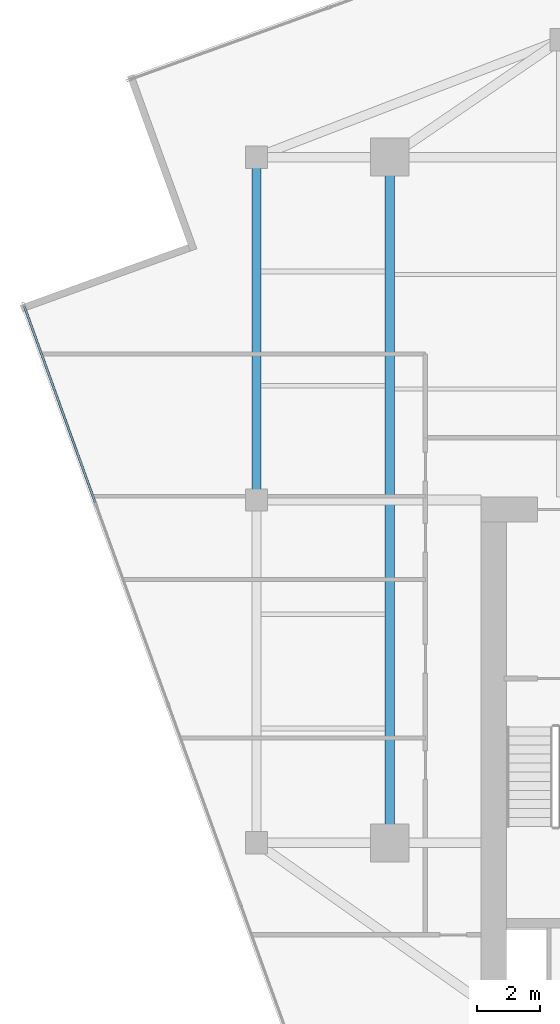
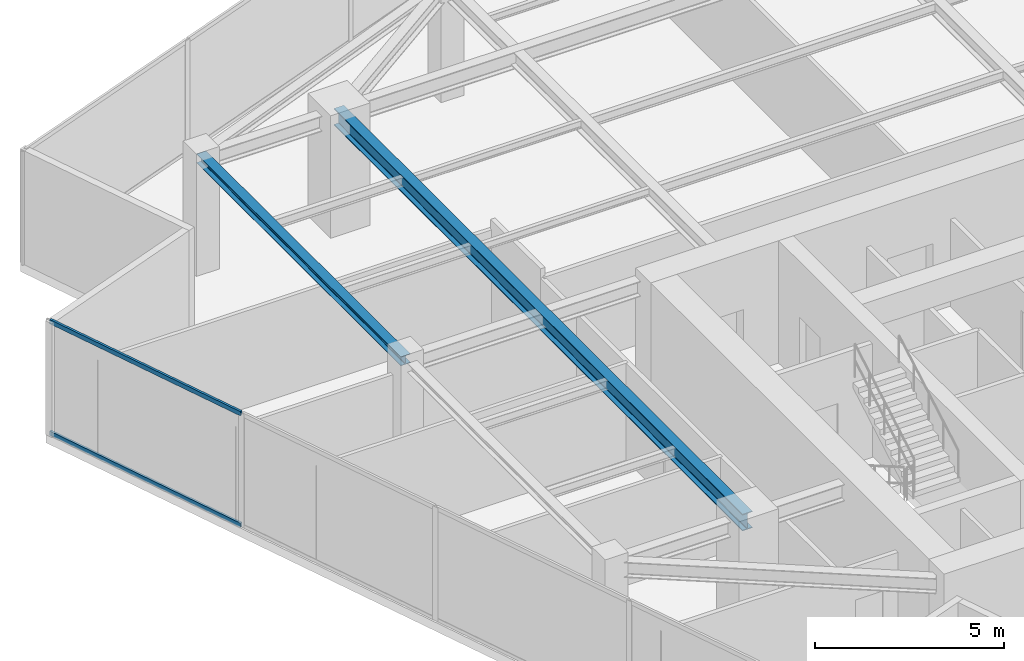
# One storey, part 6 of 21: 2 beams, 2 members, 1 element without a shape of its own.
"""IFC4 building model written with IfcOpenShell, lengths in metres."""

from ifc_helpers import new_model, si_unit, direction, frame, origin, origin_2d, place, context, subcontext, project, spatial, hollow_rectangle, i_section, extrude, source, transform, mapped, material, material_profile, profile_set, type_object, type_shapes, element, aggregate, save


model = new_model("IFC4")

# Units and contexts
model_context = context("Model", 3, precision=1e-05, world=origin(), true_north=direction((0.0, 1.0)))
body_context = subcontext(model_context, "Body", "Model", "MODEL_VIEW")
ifc_project = project(units=[si_unit("LENGTHUNIT", "METRE"), si_unit("AREAUNIT", "SQUARE_METRE"), si_unit("VOLUMEUNIT", "CUBIC_METRE"), si_unit("PLANEANGLEUNIT", "RADIAN"), si_unit("MASSUNIT", "GRAM", prefix="KILO")], contexts=[model_context])

# Site, building, storey
site_placement = place(None, origin())
site = spatial("IfcSite", under=ifc_project, at=site_placement, CompositionType="ELEMENT")
building_placement = place(site_placement, origin())
building = spatial("IfcBuilding", under=site, at=building_placement, Name="Krantzveldt Concourse Tower", CompositionType="ELEMENT")
storey_placement = place(building_placement, frame((0.0, 0.0, 331.64990234375)))
storey = spatial("IfcBuildingStorey", under=building, at=storey_placement, Name="L81", CompositionType="ELEMENT", Elevation=331.64990234375)

# Beams
ifc_material_1 = material(Name="Steel S355JR", Category="steel")
ifc_material_profile_1 = material_profile(ifc_material_1, i_section(OverallWidth=0.300048828125, OverallDepth=0.5400390625, WebThickness=0.012451171875, FlangeThickness=0.02392578125, FilletRadius=0.027099609375, at=origin_2d()), Name="Steel S355JR", Category="steel")
ifc_profile_set_1 = profile_set([ifc_material_profile_1], Name="Steel S355JR - HEA 550")
beam_type_1 = type_object("IfcBeamType", Name="BM-B-HEA550", PredefinedType="BEAM", material=ifc_profile_set_1)
shared_shape_1 = source(origin(), body_context, "Body", "SweptSolid", [
    extrude(i_section(OverallWidth=0.300048828125, OverallDepth=0.5400390625, WebThickness=0.012451171875, FlangeThickness=0.02392578125, FilletRadius=0.027099609375, at=origin_2d()), origin(), (0.0, 0.0, 1.0), 21.60009765625),
])
type_shapes(beam_type_1, [shared_shape_1])
beam_1_placement = place(storey_placement, frame((25.199951171875, 15.89990234375, 3.400146484375), z_axis=(0.0, 1.0, 0.0), x_axis=(-1.0, 0.0, 0.0)))
element("IfcBeam", 1, at=beam_1_placement, inside=storey, type_object=beam_type_1, Name="L81 Tower Girder BG-MW", PredefinedType="BEAM", context=body_context, shape_type="MappedRepresentation", body=[
    mapped(shared_shape_1, transform((0.0, 0.0, 0.0), x_axis=(1.0, 0.0, 0.0), y_axis=(0.0, 1.0, 0.0), z_axis=(0.0, 0.0, 1.0), scale=1.0)),
])
ifc_material_profile_2 = material_profile(ifc_material_1, i_section(OverallWidth=0.2900390625, OverallDepth=0.2900390625, WebThickness=0.008544921875, FlangeThickness=0.013916015625, FilletRadius=0.027099609375, at=origin_2d()), Name="Steel S355JR", Category="steel")
ifc_profile_set_2 = profile_set([ifc_material_profile_2], Name="Steel S355JR - HEA 300")
beam_type_2 = type_object("IfcBeamType", Name="BM-SP-HEA300", PredefinedType="SPANDREL", material=ifc_profile_set_2)
shared_shape_2 = source(origin(), body_context, "Body", "SweptSolid", [
    extrude(i_section(OverallWidth=0.2900390625, OverallDepth=0.2900390625, WebThickness=0.008544921875, FlangeThickness=0.013916015625, FilletRadius=0.027099609375, at=origin_2d()), origin(), (0.0, 0.0, 1.0), 10.800048828125),
])
type_shapes(beam_type_2, [shared_shape_2])
beam_2_placement = place(storey_placement, frame((21.0, 26.699951171875, 3.525146484375), z_axis=(0.0, 1.0, 0.0), x_axis=(-1.0, 0.0, 0.0)))
element("IfcBeam", 2, at=beam_2_placement, inside=storey, type_object=beam_type_2, Name="L81 Tower Girder SP-R02", PredefinedType="SPANDREL", context=body_context, shape_type="MappedRepresentation", body=[
    mapped(shared_shape_2, transform((0.0, 0.0, 0.0), x_axis=(1.0, 0.0, 0.0), y_axis=(0.0, 1.0, 0.0), z_axis=(0.0, 0.0, 1.0), scale=1.0)),
])

# Curtain wall, members
ifc_material_2 = material(Name="Anodised aluminium 6063-T6", Category="aluminium")
curtain_wall_type = type_object("IfcCurtainWallType", Name="CW4", PredefinedType="USERDEFINED", material=ifc_material_2)
curtain_wall_placement = place(storey_placement, origin())
curtain_wall = element("IfcCurtainWall", 3, at=curtain_wall_placement, inside=storey, type_object=curtain_wall_type, Name="CW-L81-F04", ObjectType="UNITISED CURTAIN WALL", PredefinedType="USERDEFINED")
ifc_material_profile_3 = material_profile(ifc_material_2, hollow_rectangle(XDim=0.070068359375, YDim=0.139892578125, WallThickness=0.0048828125, at=origin_2d()), Name="Anodised aluminium 6063-T6", Category="aluminium")
ifc_profile_set_3 = profile_set([ifc_material_profile_3], Name="Anodised aluminium 6063-T6 - ALU-TRAN 140x70x5")
member_type = type_object("IfcMemberType", Name="CW-TRN-150", PredefinedType="USERDEFINED", material=ifc_profile_set_3)
shared_shape_3 = source(origin(), body_context, "Body", "SweptSolid", [
    extrude(hollow_rectangle(XDim=0.070068359375, YDim=0.139892578125, WallThickness=0.0048828125, at=origin_2d()), origin(), (0.0, 0.0, 1.0), 6.594970703125),
])
type_shapes(member_type, [shared_shape_3])
member_1_placement = place(storey_placement, frame((13.6845703125, 32.80712890625, 0.03515625), z_axis=(0.339982843811, -0.940431638086, 0.0), x_axis=(0.940431638086, 0.339982843811, 0.0)))
member_1 = element("IfcMember", 4, at=member_1_placement, type_object=member_type, Name="CW-Z56 transom 1.1", ObjectType="TRANSOM", PredefinedType="USERDEFINED", context=body_context, shape_type="MappedRepresentation", body=[
    mapped(shared_shape_3, transform((0.0, 0.0, 0.0), x_axis=(1.0, 0.0, 0.0), y_axis=(0.0, 1.0, 0.0), z_axis=(0.0, 0.0, 1.0), scale=1.0)),
])
member_2_placement = place(storey_placement, frame((13.6845703125, 32.80712890625, 3.635009765625), z_axis=(0.339982843811, -0.940431638086, 0.0), x_axis=(0.940431638086, 0.339982843811, 0.0)))
member_2 = element("IfcMember", 5, at=member_2_placement, type_object=member_type, Name="CW-Z56 transom 1.2", ObjectType="TRANSOM", PredefinedType="USERDEFINED", context=body_context, shape_type="MappedRepresentation", body=[
    mapped(shared_shape_3, transform((0.0, 0.0, 0.0), x_axis=(1.0, 0.0, 0.0), y_axis=(0.0, 1.0, 0.0), z_axis=(0.0, 0.0, 1.0), scale=1.0)),
])
aggregate(curtain_wall, [member_1, member_2])

save(model, "model.ifc")
